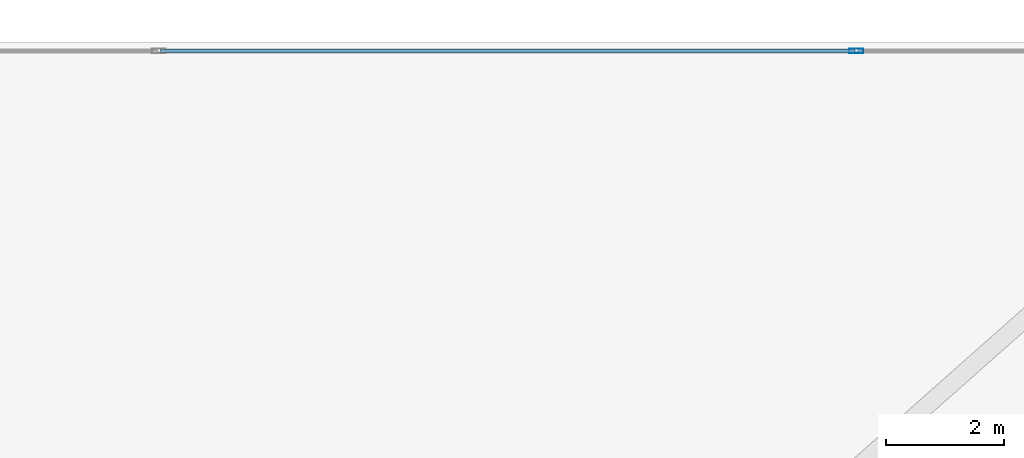
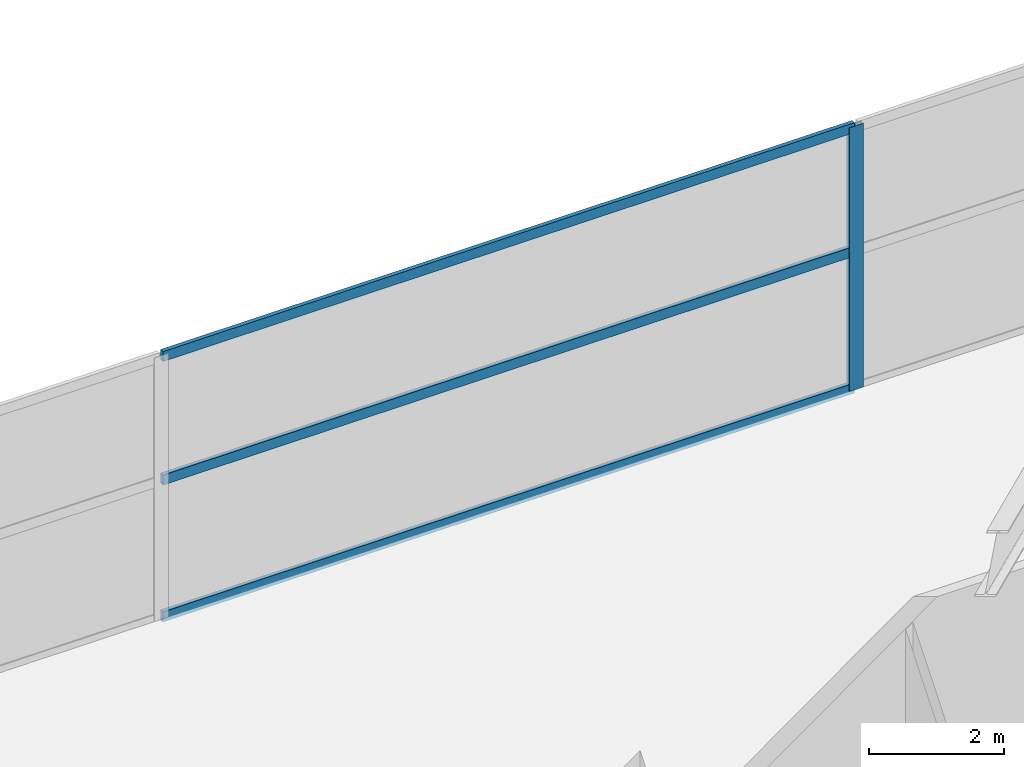
# One storey, part 17 of 36: 4 members, 1 element without a shape of its own.
"""IFC4 building model written with IfcOpenShell, lengths in metres."""

from ifc_helpers import new_model, si_unit, direction, frame, origin, origin_2d, place, context, subcontext, project, spatial, hollow_rectangle, extrude, material, layer, layer_set, material_profile, profile_set, type_object, element, aggregate, save


model = new_model("IFC4")

# Units and contexts
model_context = context("Model", 3, precision=1e-05, world=origin(), true_north=direction((0.0, 1.0)))
body_context = subcontext(model_context, "Body", "Model", "MODEL_VIEW")
ifc_project = project(units=[si_unit("LENGTHUNIT", "METRE"), si_unit("AREAUNIT", "SQUARE_METRE"), si_unit("VOLUMEUNIT", "CUBIC_METRE"), si_unit("PLANEANGLEUNIT", "RADIAN"), si_unit("MASSUNIT", "GRAM", prefix="KILO")], contexts=[model_context])

# Site, building, storey
site_placement = place(None, origin())
site = spatial("IfcSite", under=ifc_project, at=site_placement, CompositionType="ELEMENT")
building_placement = place(site_placement, origin())
building = spatial("IfcBuilding", under=site, at=building_placement, Name="Calvorn Quay Hotel", CompositionType="ELEMENT")
storey_placement = place(building_placement, frame((0.0, 0.0, 22.0)))
storey = spatial("IfcBuildingStorey", under=building, at=storey_placement, Name="L04", CompositionType="ELEMENT", Elevation=22.0)

# Curtain wall, members
ifc_material_1 = material(Name="Pale Anodised Aluminium and Low-E Glass", Category="aluminium")
ifc_layer = layer(ifc_material_1, 0.219970703125)
ifc_layer_set = layer_set([ifc_layer], Name="CW-SYS-POD")
curtain_wall_type = type_object("IfcCurtainWallType", Name="CW-SYS-POD", PredefinedType="NOTDEFINED", material=ifc_layer_set)
curtain_wall_placement = place(storey_placement, origin())
curtain_wall = element("IfcCurtainWall", 1, at=curtain_wall_placement, inside=storey, type_object=curtain_wall_type, Name="Podium Curtain Wall L04-N1", PredefinedType="NOTDEFINED")
ifc_material_2 = material(Name="Pale Anodised Aluminium 6063-T6", Category="aluminium")
ifc_material_profile_1 = material_profile(ifc_material_2, hollow_rectangle(XDim=0.080078125, YDim=0.239990234375, WallThickness=0.0048828125, at=origin_2d()), Name="ALU-M240x80x5")
ifc_profile_set_1 = profile_set([ifc_material_profile_1], Name="Pale Anodised Aluminium 6063-T6")
member_type_1 = type_object("IfcMemberType", Name="CW-SYS-POD-MUL", PredefinedType="MULLION", material=ifc_profile_set_1)
member_1_placement = place(storey_placement, frame((26.13330078125, 55.35009765625, 0.0), z_axis=(0.0, 0.0, 1.0), x_axis=(0.0, 1.0, 0.0)))
member_1 = element("IfcMember", 2, at=member_1_placement, type_object=member_type_1, Name="CW-L04-N1 mullion 3", PredefinedType="MULLION", context=body_context, shape_type="SweptSolid", body=[
    extrude(hollow_rectangle(XDim=0.080078125, YDim=0.239990234375, WallThickness=0.0048828125, at=origin_2d()), origin(), (0.0, 0.0, 1.0), 4.760009765625),
])
ifc_material_3 = material(Name="Pale Anodised Aluminium 6063-T6", Category="aluminium")
ifc_material_profile_2 = material_profile(ifc_material_3, hollow_rectangle(XDim=0.070068359375, YDim=0.179931640625, WallThickness=0.00390625, at=origin_2d()), Name="ALU-T180x70x4")
ifc_profile_set_2 = profile_set([ifc_material_profile_2], Name="Pale Anodised Aluminium 6063-T6")
member_type_2 = type_object("IfcMemberType", Name="CW-SYS-POD-TRN", PredefinedType="USERDEFINED", material=ifc_profile_set_2)
member_2_placement = place(storey_placement, frame((14.296630859375, 55.35009765625, 0.030029296875), z_axis=(1.0, 0.0, 0.0), x_axis=(0.0, 1.0, 0.0)))
member_2 = element("IfcMember", 3, at=member_2_placement, type_object=member_type_2, Name="CW-L04-N1 transom 2.1", ObjectType="TRANSOM", PredefinedType="USERDEFINED", context=body_context, shape_type="SweptSolid", body=[
    extrude(hollow_rectangle(XDim=0.070068359375, YDim=0.179931640625, WallThickness=0.00390625, at=origin_2d()), origin(), (0.0, 0.0, 1.0), 11.806640625),
])
member_3_placement = place(storey_placement, frame((14.296630859375, 55.35009765625, 2.5), z_axis=(1.0, 0.0, 0.0), x_axis=(0.0, 1.0, 0.0)))
member_3 = element("IfcMember", 4, at=member_3_placement, type_object=member_type_2, Name="CW-L04-N1 transom 2.2", ObjectType="TRANSOM", PredefinedType="USERDEFINED", context=body_context, shape_type="SweptSolid", body=[
    extrude(hollow_rectangle(XDim=0.070068359375, YDim=0.179931640625, WallThickness=0.00390625, at=origin_2d()), origin(), (0.0, 0.0, 1.0), 11.806640625),
])
member_4_placement = place(storey_placement, frame((14.296630859375, 55.35009765625, 4.72998046875), z_axis=(1.0, 0.0, 0.0), x_axis=(0.0, 1.0, 0.0)))
member_4 = element("IfcMember", 5, at=member_4_placement, type_object=member_type_2, Name="CW-L04-N1 transom 2.3", ObjectType="TRANSOM", PredefinedType="USERDEFINED", context=body_context, shape_type="SweptSolid", body=[
    extrude(hollow_rectangle(XDim=0.070068359375, YDim=0.179931640625, WallThickness=0.00390625, at=origin_2d()), origin(), (0.0, 0.0, 1.0), 11.806640625),
])
aggregate(curtain_wall, [member_1, member_2, member_3, member_4])

save(model, "model.ifc")
